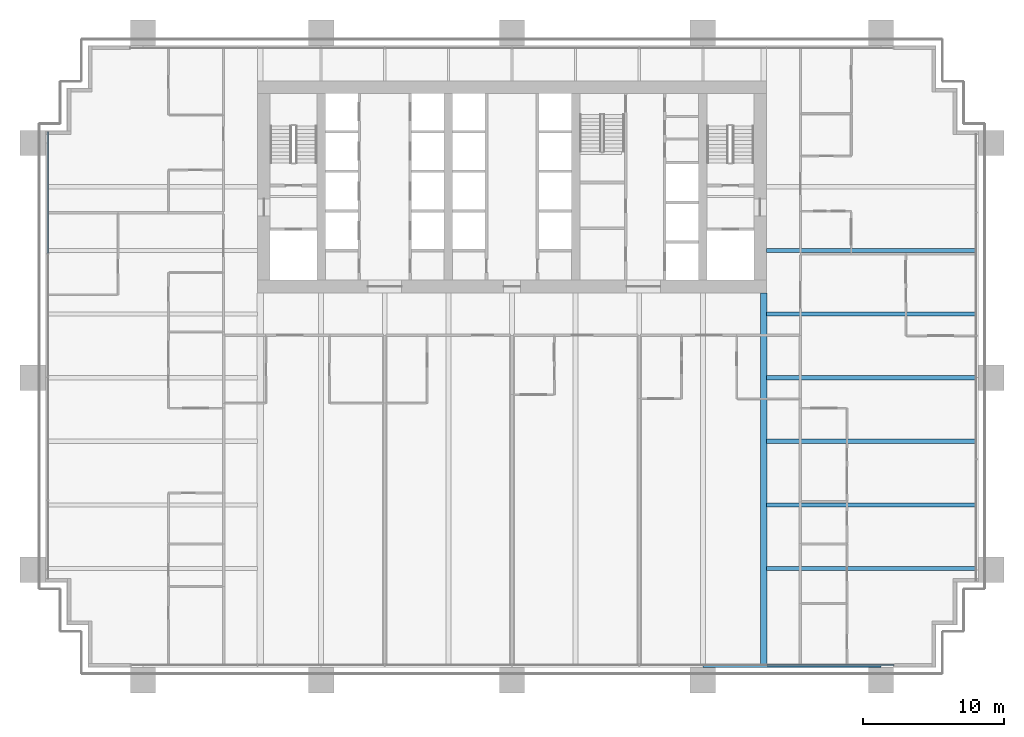
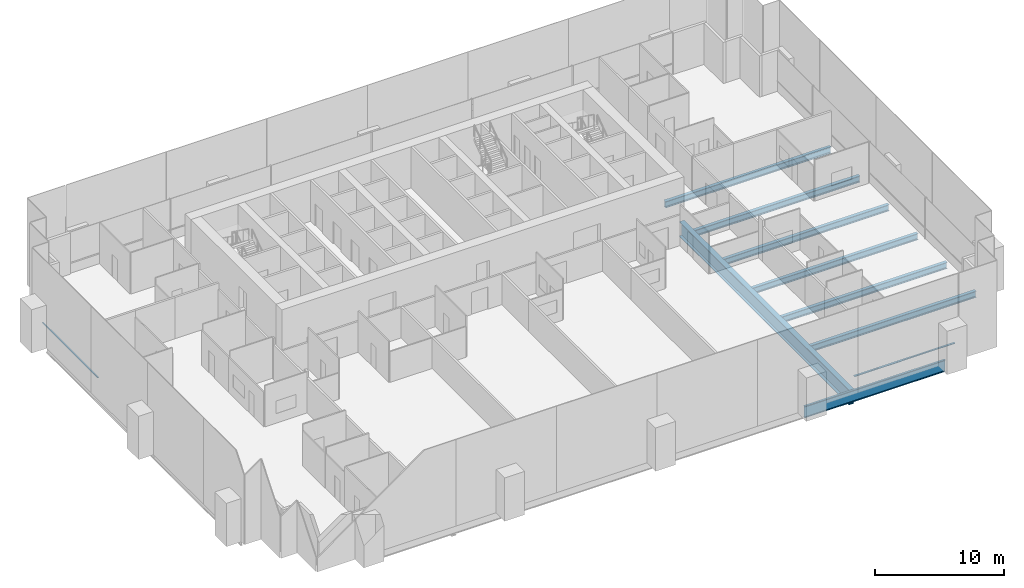
# One storey, part 6 of 18: 8 beams, 2 members, 2 elements without a shape of their own.
"""IFC4 building model written with IfcOpenShell, lengths in metres."""

from ifc_helpers import new_model, si_unit, direction, frame, origin, origin_2d, place, context, subcontext, project, spatial, rectangle, i_section, extrude, material, material_profile, profile_set, type_object, element, aggregate, save


model = new_model("IFC4")

# Units and contexts
model_context = context("Model", 3, precision=1e-05, world=origin(), true_north=direction((0.0, 1.0)))
body_context = subcontext(model_context, "Body", "Model", "MODEL_VIEW")
ifc_project = project(units=[si_unit("LENGTHUNIT", "METRE"), si_unit("AREAUNIT", "SQUARE_METRE"), si_unit("VOLUMEUNIT", "CUBIC_METRE"), si_unit("PLANEANGLEUNIT", "RADIAN"), si_unit("MASSUNIT", "GRAM", prefix="KILO")], contexts=[model_context])

# Site, building, storey
site_placement = place(None, origin())
site = spatial("IfcSite", under=ifc_project, at=site_placement, CompositionType="ELEMENT")
building_placement = place(site_placement, origin())
building = spatial("IfcBuilding", under=site, at=building_placement, Name="Rattan Terrace Tower", CompositionType="ELEMENT")
storey_placement = place(building_placement, frame((0.0, 0.0, 32.39990234375)))
storey = spatial("IfcBuildingStorey", under=building, at=storey_placement, Name="L06", CompositionType="ELEMENT", Elevation=32.39990234375)

# Curtain wall, member
ifc_material_1 = material(Name="Aluminium and glass", Category="aluminium")
curtain_wall_type = type_object("IfcCurtainWallType", Name="Facade Unitised Curtain Wall", PredefinedType="NOTDEFINED", material=ifc_material_1)
curtain_wall_1_placement = place(storey_placement, origin())
curtain_wall_1 = element("IfcCurtainWall", 1, at=curtain_wall_1_placement, inside=storey, type_object=curtain_wall_type, Name="Curtain wall L06-3", PredefinedType="NOTDEFINED")
ifc_material_2 = material(Name="Aluminium", Category="aluminium")
ifc_material_profile_1 = material_profile(ifc_material_2, rectangle(XDim=0.1201171875, YDim=0.06005859375, at=origin_2d()), Name="Aluminium 120x60")
ifc_profile_set_1 = profile_set([ifc_material_profile_1], Name="Aluminium")
member_type = type_object("IfcMemberType", Name="Facade CW Transom 120x60", PredefinedType="USERDEFINED", material=ifc_profile_set_1)
member_1_placement = place(storey_placement, frame((-32.830078125, 3.89501953125, 1.0), z_axis=(0.0, -1.0, 0.0), x_axis=(1.0, 0.0, 0.0)))
member_1 = element("IfcMember", 2, at=member_1_placement, type_object=member_type, Name="Transom cwl-L06-003.1", ObjectType="TRANSOM", PredefinedType="USERDEFINED", context=body_context, shape_type="SweptSolid", body=[
    extrude(rectangle(XDim=0.1201171875, YDim=0.06005859375, at=origin_2d()), origin(), (0.0, 0.0, 1.0), 8.592041015625),
])
aggregate(curtain_wall_1, [member_1])

curtain_wall_2_placement = place(storey_placement, origin())
curtain_wall_2 = element("IfcCurtainWall", 3, at=curtain_wall_2_placement, inside=storey, type_object=curtain_wall_type, Name="Curtain wall L06-4", PredefinedType="NOTDEFINED")
member_2_placement = place(storey_placement, frame((18.030029296875, -33.830078125, 1.0), z_axis=(1.0, 0.0, 0.0), x_axis=(0.0, 1.0, 0.0)))
member_2 = element("IfcMember", 4, at=member_2_placement, type_object=member_type, Name="Transom cwl-L06-004.6", ObjectType="TRANSOM", PredefinedType="USERDEFINED", context=body_context, shape_type="SweptSolid", body=[
    extrude(rectangle(XDim=0.1201171875, YDim=0.06005859375, at=origin_2d()), origin(), (0.0, 0.0, 1.0), 8.969970703125),
])
aggregate(curtain_wall_2, [member_2])

# Beams
ifc_material_3 = material(Name="Steel S460", Category="steel")
ifc_material_profile_2 = material_profile(ifc_material_3, i_section(OverallWidth=0.449951171875, OverallDepth=1.39990234375, WebThickness=0.02197265625, FlangeThickness=0.054931640625, at=origin_2d()), Name="PG 1400x450-22-55")
ifc_profile_set_2 = profile_set([ifc_material_profile_2], Name="Steel S460")
beam_type_1 = type_object("IfcBeamType", Name="Frame core girder PG 1400x450-22-55", PredefinedType="BEAM", material=ifc_profile_set_2)
beam_1_placement = place(storey_placement, frame((17.800048828125, -33.820068359375, -0.89990234375), z_axis=(0.0, 1.0, 0.0), x_axis=(-1.0, 0.0, 0.0)))
element("IfcBeam", 5, at=beam_1_placement, inside=storey, type_object=beam_type_1, Name="gdr-L06-014", PredefinedType="BEAM", context=body_context, shape_type="SweptSolid", body=[
    extrude(i_section(OverallWidth=0.449951171875, OverallDepth=1.39990234375, WebThickness=0.02197265625, FlangeThickness=0.054931640625, at=origin_2d()), origin(), (0.0, 0.0, 1.0), 26.320068359375),
])
ifc_material_4 = material(Name="Steel S460", Category="steel")
ifc_material_profile_3 = material_profile(ifc_material_4, i_section(OverallWidth=0.179931640625, OverallDepth=1.10009765625, WebThickness=0.01611328125, FlangeThickness=0.050048828125, at=origin_2d()), Name="PG 1100x180-16-50")
ifc_profile_set_3 = profile_set([ifc_material_profile_3], Name="Steel S460")
beam_type_2 = type_object("IfcBeamType", Name="Frame edge girder PG 1100x180-16-50", PredefinedType="SPANDREL", material=ifc_profile_set_3)
beam_2_placement = place(storey_placement, frame((13.5, -33.909912109375, -0.75), z_axis=(1.0, 0.0, 0.0), x_axis=(0.0, 1.0, 0.0)))
element("IfcBeam", 6, at=beam_2_placement, inside=storey, type_object=beam_type_2, Name="gdr-L06-004", PredefinedType="SPANDREL", context=body_context, shape_type="SweptSolid", body=[
    extrude(i_section(OverallWidth=0.179931640625, OverallDepth=1.10009765625, WebThickness=0.01611328125, FlangeThickness=0.050048828125, at=origin_2d()), origin(), (0.0, 0.0, 1.0), 12.60009765625),
])
ifc_material_5 = material(Name="Steel S355", Category="steel")
ifc_material_profile_4 = material_profile(ifc_material_5, i_section(OverallWidth=0.300048828125, OverallDepth=0.60009765625, WebThickness=0.015380859375, FlangeThickness=0.030029296875, FilletRadius=0.027099609375, at=origin_2d()), Name="HE 600 B")
ifc_profile_set_4 = profile_set([ifc_material_profile_4], Name="Steel S355")
beam_type_3 = type_object("IfcBeamType", Name="Frame floor beam HE 600 B", PredefinedType="JOIST", material=ifc_profile_set_4)
for number, where, z_axis, x_axis, name in (
    (7, (18.0, -27.0, -0.5), (1.0, 0.0, 0.0), (0.0, 1.0, 0.0), "bm-L06-011"),
    (8, (18.0, -22.5, -0.5), (1.0, 0.0, 0.0), (0.0, 1.0, 0.0), "bm-L06-013"),
    (9, (18.0, -18.0, -0.5), (1.0, 0.0, 0.0), (0.0, 1.0, 0.0), "bm-L06-015"),
    (10, (18.0, -13.5, -0.5), (1.0, 0.0, 0.0), (0.0, 1.0, 0.0), "bm-L06-017"),
    (11, (18.0, -9.0, -0.5), (1.0, 0.0, 0.0), (0.0, 1.0, 0.0), "bm-L06-019"),
    (12, (18.0, -4.5, -0.5), (1.0, 0.0, 0.0), (0.0, 1.0, 0.0), "bm-L06-021"),
):
    element("IfcBeam", number, at=place(storey_placement, frame(where, z_axis=z_axis, x_axis=x_axis)), inside=storey, type_object=beam_type_3, Name=name, PredefinedType="JOIST", context=body_context, shape_type="SweptSolid", body=[
        extrude(i_section(OverallWidth=0.300048828125, OverallDepth=0.60009765625, WebThickness=0.015380859375, FlangeThickness=0.030029296875, FilletRadius=0.027099609375, at=origin_2d()), origin(), (0.0, 0.0, 1.0), 14.820068359375),
    ])

save(model, "model.ifc")
